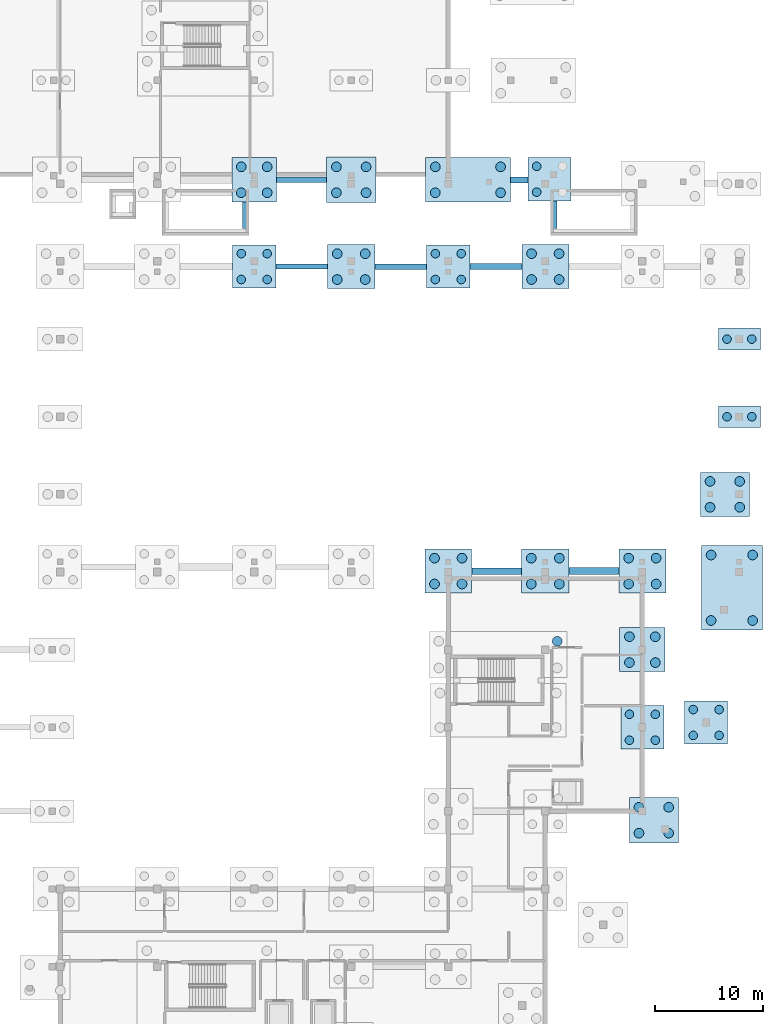
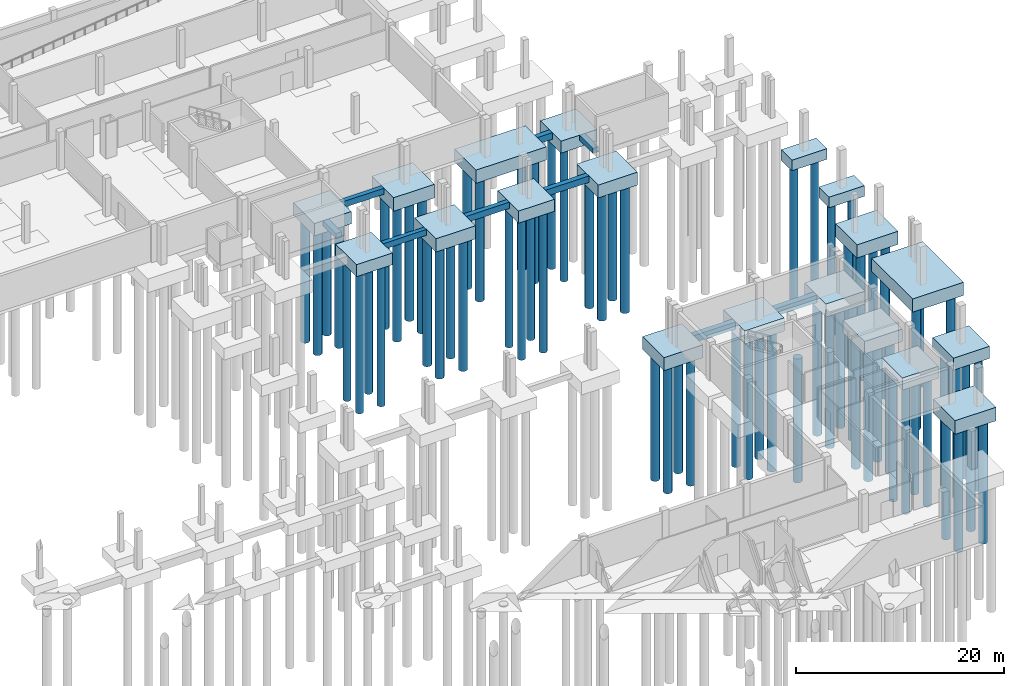
# One storey, part 10 of 36: 71 piles, 28 footings.
"""IFC4 building model written with IfcOpenShell, lengths in metres."""

from ifc_helpers import new_model, si_unit, direction, frame, origin, origin_2d, place, context, subcontext, project, spatial, rectangle, circle, extrude, material, layer, layer_set, material_profile, profile_set, type_object, element, save


model = new_model("IFC4")

# Units and contexts
model_context = context("Model", 3, precision=1e-05, world=origin(), true_north=direction((0.0, 1.0)))
body_context = subcontext(model_context, "Body", "Model", "MODEL_VIEW")
ifc_project = project(units=[si_unit("LENGTHUNIT", "METRE"), si_unit("AREAUNIT", "SQUARE_METRE"), si_unit("VOLUMEUNIT", "CUBIC_METRE"), si_unit("PLANEANGLEUNIT", "RADIAN"), si_unit("MASSUNIT", "GRAM", prefix="KILO")], contexts=[model_context])

# Site, building, storey
site_placement = place(None, origin())
site = spatial("IfcSite", under=ifc_project, at=site_placement, CompositionType="ELEMENT")
building_placement = place(site_placement, origin())
building = spatial("IfcBuilding", under=site, at=building_placement, Name="Chiffa Square Polytechnic", CompositionType="ELEMENT")
storey_placement = place(building_placement, frame((0.0, 0.0, -4.5)))
storey = spatial("IfcBuildingStorey", under=building, at=storey_placement, Name="B1", CompositionType="ELEMENT", Elevation=-4.5)

# Footings
ifc_material = material(Name="Concrete C35/45", Category="concrete")
ifc_layer_1 = layer(ifc_material, 0.68505859375, Name="Concrete C35/45")
ifc_layer_set_1 = layer_set([ifc_layer_1], Name="Concrete C35/45")
footing_type_1 = type_object("IfcFootingType", Name="FTG-BEAM-480X685", PredefinedType="FOOTING_BEAM", material=ifc_layer_set_1)
footing_1_placement = place(storey_placement, frame((134.60009765625, 86.52490234375, -0.685546875), z_axis=(0.0, 0.0, 1.0), x_axis=(1.0, 0.0, 0.0)))
element("IfcFooting", 1, at=footing_1_placement, inside=storey, type_object=footing_type_1, Name="Footing tie beam FB-B1-038", PredefinedType="FOOTING_BEAM", context=body_context, shape_type="SweptSolid", body=[
    extrude(rectangle(XDim=4.7900390625, YDim=0.47998046875, at=origin_2d()), origin(), (0.0, 0.0, 1.0), 0.68505859375),
])
ifc_layer_2 = layer(ifc_material, 0.7099609375, Name="Concrete C35/45")
ifc_layer_set_2 = layer_set([ifc_layer_2], Name="Concrete C35/45")
footing_type_2 = type_object("IfcFootingType", Name="FTG-BEAM-500X710", PredefinedType="FOOTING_BEAM", material=ifc_layer_set_2)
footing_2_placement = place(storey_placement, frame((134.5869140625, 94.574951171875, -0.7099609375), z_axis=(0.0, 0.0, 1.0), x_axis=(1.0, 0.0, 0.0)))
element("IfcFooting", 2, at=footing_2_placement, inside=storey, type_object=footing_type_2, Name="Footing tie beam FB-B1-039", PredefinedType="FOOTING_BEAM", context=body_context, shape_type="SweptSolid", body=[
    extrude(rectangle(XDim=4.6650390625, YDim=0.5, at=origin_2d()), origin(), (0.0, 0.0, 1.0), 0.7099609375),
])
ifc_layer_3 = layer(ifc_material, 0.735107421875, Name="Concrete C35/45")
ifc_layer_set_3 = layer_set([ifc_layer_3], Name="Concrete C35/45")
footing_type_3 = type_object("IfcFootingType", Name="FTG-BEAM-520X735", PredefinedType="FOOTING_BEAM", material=ifc_layer_set_3)
footing_3_placement = place(storey_placement, frame((143.800048828125, 86.52490234375, -0.734375), z_axis=(0.0, 0.0, 1.0), x_axis=(1.0, 0.0, 0.0)))
element("IfcFooting", 3, at=footing_3_placement, inside=storey, type_object=footing_type_3, Name="Footing tie beam FB-B1-040", PredefinedType="FOOTING_BEAM", context=body_context, shape_type="SweptSolid", body=[
    extrude(rectangle(XDim=4.7900390625, YDim=0.52001953125, at=origin_2d()), origin(), (0.0, 0.0, 1.0), 0.735107421875),
])
ifc_layer_4 = layer(ifc_material, 0.760009765625, Name="Concrete C35/45")
ifc_layer_set_4 = layer_set([ifc_layer_4], Name="Concrete C35/45")
footing_type_4 = type_object("IfcFootingType", Name="FTG-BEAM-540X760", PredefinedType="FOOTING_BEAM", material=ifc_layer_set_4)
footing_4_placement = place(storey_placement, frame((152.613037109375, 86.52490234375, -0.759765625), z_axis=(0.0, 0.0, 1.0), x_axis=(1.0, 0.0, 0.0)))
element("IfcFooting", 4, at=footing_4_placement, inside=storey, type_object=footing_type_4, Name="Footing tie beam FB-B1-041", PredefinedType="FOOTING_BEAM", context=body_context, shape_type="SweptSolid", body=[
    extrude(rectangle(XDim=4.81494140625, YDim=0.5400390625, at=origin_2d()), origin(), (0.0, 0.0, 1.0), 0.760009765625),
])
ifc_layer_5 = layer(ifc_material, 0.784912109375, Name="Concrete C35/45")
ifc_layer_set_5 = layer_set([ifc_layer_5], Name="Concrete C35/45")
footing_type_5 = type_object("IfcFootingType", Name="FTG-BEAM-560X785", PredefinedType="FOOTING_BEAM", material=ifc_layer_set_5)
footing_5_placement = place(storey_placement, frame((154.77490234375, 94.574951171875, -0.78564453125), z_axis=(0.0, 0.0, 1.0), x_axis=(1.0, 0.0, 0.0)))
element("IfcFooting", 5, at=footing_5_placement, inside=storey, type_object=footing_type_5, Name="Footing tie beam FB-B1-042", PredefinedType="FOOTING_BEAM", context=body_context, shape_type="SweptSolid", body=[
    extrude(rectangle(XDim=1.639892578125, YDim=0.56005859375, at=origin_2d()), origin(), (0.0, 0.0, 1.0), 0.784912109375),
])
ifc_layer_6 = layer(ifc_material, 0.8349609375, Name="Concrete C35/45")
ifc_layer_set_6 = layer_set([ifc_layer_6], Name="Concrete C35/45")
footing_type_6 = type_object("IfcFootingType", Name="FTG-BEAM-600X835", PredefinedType="FOOTING_BEAM", material=ifc_layer_set_6)
footing_6_placement = place(storey_placement, frame((152.68798828125, 58.284912109375, -0.83544921875), z_axis=(0.0, 0.0, 1.0), x_axis=(1.0, 0.0, 0.0)))
element("IfcFooting", 6, at=footing_6_placement, inside=storey, type_object=footing_type_6, Name="Footing tie beam FB-B1-008", PredefinedType="FOOTING_BEAM", context=body_context, shape_type="SweptSolid", body=[
    extrude(rectangle(XDim=4.614990234375, YDim=0.60009765625, at=origin_2d()), origin(), (0.0, 0.0, 1.0), 0.8349609375),
])
ifc_layer_7 = layer(ifc_material, 0.860107421875, Name="Concrete C35/45")
ifc_layer_set_7 = layer_set([ifc_layer_7], Name="Concrete C35/45")
footing_type_7 = type_object("IfcFootingType", Name="FTG-BEAM-620X860", PredefinedType="FOOTING_BEAM", material=ifc_layer_set_7)
footing_7_placement = place(storey_placement, frame((161.712890625, 58.284912109375, -0.85986328125), z_axis=(0.0, 0.0, 1.0), x_axis=(1.0, 0.0, 0.0)))
element("IfcFooting", 7, at=footing_7_placement, inside=storey, type_object=footing_type_7, Name="Footing tie beam FB-B1-009", PredefinedType="FOOTING_BEAM", context=body_context, shape_type="SweptSolid", body=[
    extrude(rectangle(XDim=4.614990234375, YDim=0.6201171875, at=origin_2d()), origin(), (0.0, 0.0, 1.0), 0.860107421875),
])
ifc_layer_8 = layer(ifc_material, 0.60009765625, Name="Concrete C35/45")
ifc_layer_set_8 = layer_set([ifc_layer_8], Name="Concrete C35/45")
footing_type_8 = type_object("IfcFootingType", Name="FTG-PAD-620X2470X600", PredefinedType="PAD_FOOTING", material=ifc_layer_set_8)
footing_8_placement = place(storey_placement, frame((129.419921875, 91.27001953125, -0.60009765625), z_axis=(0.0, 0.0, 1.0), x_axis=(1.0, 0.0, 0.0)))
element("IfcFooting", 8, at=footing_8_placement, inside=storey, type_object=footing_type_8, Name="Core pad footing PFG-CORE-CORE-V2A-E1", PredefinedType="PAD_FOOTING", context=body_context, shape_type="SweptSolid", body=[
    extrude(rectangle(XDim=0.6201171875, YDim=2.469970703125, at=origin_2d()), origin(), (0.0, 0.0, 1.0), 0.60009765625),
])
ifc_layer_9 = layer(ifc_material, 0.60009765625, Name="Concrete C35/45")
ifc_layer_set_9 = layer_set([ifc_layer_9], Name="Concrete C35/45")
footing_type_9 = type_object("IfcFootingType", Name="FTG-PAD-620X2570X600", PredefinedType="PAD_FOOTING", material=ifc_layer_set_9)
footing_9_placement = place(storey_placement, frame((157.97998046875, 91.320068359375, -0.60009765625), z_axis=(0.0, 0.0, 1.0), x_axis=(1.0, 0.0, 0.0)))
element("IfcFooting", 9, at=footing_9_placement, inside=storey, type_object=footing_type_9, Name="Core pad footing PFG-CORE-CORE-V2B-W1", PredefinedType="PAD_FOOTING", context=body_context, shape_type="SweptSolid", body=[
    extrude(rectangle(XDim=0.6201171875, YDim=2.570068359375, at=origin_2d()), origin(), (0.0, 0.0, 1.0), 0.60009765625),
])
ifc_layer_10 = layer(ifc_material, 1.25, Name="Concrete C35/45")
ifc_layer_set_10 = layer_set([ifc_layer_10], Name="Concrete C35/45")
footing_type_10 = type_object("IfcFootingType", Name="FTG-PC-3900X2000X1250", PredefinedType="PILE_CAP", material=ifc_layer_set_10)
footing_10_placement = place(storey_placement, frame((175.199951171875, 72.60009765625, -1.25), z_axis=(0.0, 0.0, 1.0), x_axis=(1.0, 0.0, 0.0)))
element("IfcFooting", 10, at=footing_10_placement, inside=storey, type_object=footing_type_10, Name="Pile cap PC-B1-047", PredefinedType="PILE_CAP", context=body_context, shape_type="SweptSolid", body=[
    extrude(rectangle(XDim=3.89990234375, YDim=2.0, at=origin_2d()), origin(), (0.0, 0.0, 1.0), 1.25),
])
ifc_layer_11 = layer(ifc_material, 1.25, Name="Concrete C35/45")
ifc_layer_set_11 = layer_set([ifc_layer_11], Name="Concrete C35/45")
footing_type_11 = type_object("IfcFootingType", Name="FTG-PC-3900X2050X1250", PredefinedType="PILE_CAP", material=ifc_layer_set_11)
footing_11_placement = place(storey_placement, frame((175.199951171875, 79.800048828125, -1.25), z_axis=(0.0, 0.0, 1.0), x_axis=(1.0, 0.0, 0.0)))
element("IfcFooting", 11, at=footing_11_placement, inside=storey, type_object=footing_type_11, Name="Pile cap PC-B1-048", PredefinedType="PILE_CAP", context=body_context, shape_type="SweptSolid", body=[
    extrude(rectangle(XDim=3.89990234375, YDim=2.050048828125, at=origin_2d()), origin(), (0.0, 0.0, 1.0), 1.25),
])
ifc_layer_12 = layer(ifc_material, 1.39990234375, Name="Concrete C35/45")
ifc_layer_set_12 = layer_set([ifc_layer_12], Name="Concrete C35/45")
footing_type_12 = type_object("IfcFootingType", Name="FTG-PC-4000X4000X1400", PredefinedType="PILE_CAP", material=ifc_layer_set_12)
for number, where, z_axis, x_axis, name in (
    (12, (130.199951171875, 86.52490234375, -1.39990234375), (0.0, 0.0, 1.0), (1.0, 0.0, 0.0), "Pile cap PC-B1-034"),
    (13, (157.60009765625, 94.625, -1.39990234375), (0.0, 0.0, 1.0), (1.0, 0.0, 0.0), "Pile cap PC-B1-042"),
):
    element("IfcFooting", number, at=place(storey_placement, frame(where, z_axis=z_axis, x_axis=x_axis)), inside=storey, type_object=footing_type_12, Name=name, PredefinedType="PILE_CAP", context=body_context, shape_type="SweptSolid", body=[
        extrude(rectangle(XDim=4.0, YDim=4.0, at=origin_2d()), origin(), (0.0, 0.0, 1.0), 1.39990234375),
    ])
ifc_layer_13 = layer(ifc_material, 1.419921875, Name="Concrete C35/45")
ifc_layer_set_13 = layer_set([ifc_layer_13], Name="Concrete C35/45")
footing_type_13 = type_object("IfcFootingType", Name="FTG-PC-4000X4000X1420", PredefinedType="PILE_CAP", material=ifc_layer_set_13)
for number, where, z_axis, x_axis, name in (
    (14, (166.199951171875, 43.800048828125, -1.419921875), (0.0, 0.0, 1.0), (1.0, 0.0, 0.0), "Pile cap PC-B1-021"),
    (15, (148.199951171875, 86.52490234375, -1.419921875), (0.0, 0.0, 1.0), (1.0, 0.0, 0.0), "Pile cap PC-B1-039"),
    (16, (172.115966796875, 44.242919921875, -1.419921875), (0.0, 0.0, 1.0), (1.0, 0.0, 0.0), "Pile cap PC-B1-237"),
):
    element("IfcFooting", number, at=place(storey_placement, frame(where, z_axis=z_axis, x_axis=x_axis)), inside=storey, type_object=footing_type_13, Name=name, PredefinedType="PILE_CAP", context=body_context, shape_type="SweptSolid", body=[
        extrude(rectangle(XDim=4.0, YDim=4.0, at=origin_2d()), origin(), (0.0, 0.0, 1.0), 1.419921875),
    ])
ifc_layer_14 = layer(ifc_material, 1.449951171875, Name="Concrete C35/45")
ifc_layer_set_14 = layer_set([ifc_layer_14], Name="Concrete C35/45")
footing_type_14 = type_object("IfcFootingType", Name="FTG-PC-4100X4100X1450", PredefinedType="PILE_CAP", material=ifc_layer_set_14)
footing_12_placement = place(storey_placement, frame((130.199951171875, 94.574951171875, -1.4501953125), z_axis=(0.0, 0.0, 1.0), x_axis=(1.0, 0.0, 0.0)))
element("IfcFooting", 17, at=footing_12_placement, inside=storey, type_object=footing_type_14, Name="Pile cap PC-B1-035", PredefinedType="PILE_CAP", context=body_context, shape_type="SweptSolid", body=[
    extrude(rectangle(XDim=4.10009765625, YDim=4.10009765625, at=origin_2d()), origin(), (0.0, 0.0, 1.0), 1.449951171875),
])
ifc_layer_15 = layer(ifc_material, 1.47998046875, Name="Concrete C35/45")
ifc_layer_set_15 = layer_set([ifc_layer_15], Name="Concrete C35/45")
footing_type_15 = type_object("IfcFootingType", Name="FTG-PC-4200X4100X1480", PredefinedType="PILE_CAP", material=ifc_layer_set_15)
footing_13_placement = place(storey_placement, frame((166.199951171875, 51.0, -1.47998046875), z_axis=(0.0, 0.0, 1.0), x_axis=(1.0, 0.0, 0.0)))
element("IfcFooting", 18, at=footing_13_placement, inside=storey, type_object=footing_type_15, Name="Pile cap PC-B1-022", PredefinedType="PILE_CAP", context=body_context, shape_type="SweptSolid", body=[
    extrude(rectangle(XDim=4.199951171875, YDim=4.10009765625, at=origin_2d()), origin(), (0.0, 0.0, 1.0), 1.47998046875),
])
ifc_layer_16 = layer(ifc_material, 1.52001953125, Name="Concrete C35/45")
ifc_layer_set_16 = layer_set([ifc_layer_16], Name="Concrete C35/45")
footing_type_16 = type_object("IfcFootingType", Name="FTG-PC-4350X4100X1520", PredefinedType="PILE_CAP", material=ifc_layer_set_16)
for number, where, z_axis, x_axis, name in (
    (19, (148.199951171875, 58.284912109375, -1.52001953125), (0.0, 0.0, 1.0), (1.0, 0.0, 0.0), "Pile cap PC-B1-016"),
    (20, (166.199951171875, 58.284912109375, -1.52001953125), (0.0, 0.0, 1.0), (1.0, 0.0, 0.0), "Pile cap PC-B1-023"),
    (21, (157.199951171875, 86.52490234375, -1.52001953125), (0.0, 0.0, 1.0), (1.0, 0.0, 0.0), "Pile cap PC-B1-041"),
):
    element("IfcFooting", number, at=place(storey_placement, frame(where, z_axis=z_axis, x_axis=x_axis)), inside=storey, type_object=footing_type_16, Name=name, PredefinedType="PILE_CAP", context=body_context, shape_type="SweptSolid", body=[
        extrude(rectangle(XDim=4.35009765625, YDim=4.10009765625, at=origin_2d()), origin(), (0.0, 0.0, 1.0), 1.52001953125),
    ])
ifc_layer_17 = layer(ifc_material, 1.550048828125, Name="Concrete C35/45")
ifc_layer_set_17 = layer_set([ifc_layer_17], Name="Concrete C35/45")
footing_type_17 = type_object("IfcFootingType", Name="FTG-PC-4400X4100X1550", PredefinedType="PILE_CAP", material=ifc_layer_set_17)
for number, where, z_axis, x_axis, name in (
    (22, (157.199951171875, 58.284912109375, -1.5498046875), (0.0, 0.0, 1.0), (1.0, 0.0, 0.0), "Pile cap PC-B1-019"),
    (23, (139.199951171875, 86.52490234375, -1.5498046875), (0.0, 0.0, 1.0), (1.0, 0.0, 0.0), "Pile cap PC-B1-037"),
):
    element("IfcFooting", number, at=place(storey_placement, frame(where, z_axis=z_axis, x_axis=x_axis)), inside=storey, type_object=footing_type_17, Name=name, PredefinedType="PILE_CAP", context=body_context, shape_type="SweptSolid", body=[
        extrude(rectangle(XDim=4.39990234375, YDim=4.10009765625, at=origin_2d()), origin(), (0.0, 0.0, 1.0), 1.550048828125),
    ])
ifc_layer_18 = layer(ifc_material, 1.550048828125, Name="Concrete C35/45")
ifc_layer_set_18 = layer_set([ifc_layer_18], Name="Concrete C35/45")
footing_type_18 = type_object("IfcFootingType", Name="FTG-PC-4550X4100X1550", PredefinedType="PILE_CAP", material=ifc_layer_set_18)
footing_14_placement = place(storey_placement, frame((173.85009765625, 65.39990234375, -1.5498046875), z_axis=(0.0, 0.0, 1.0), x_axis=(1.0, 0.0, 0.0)))
element("IfcFooting", 24, at=footing_14_placement, inside=storey, type_object=footing_type_18, Name="Pile cap PC-B1-046", PredefinedType="PILE_CAP", context=body_context, shape_type="SweptSolid", body=[
    extrude(rectangle(XDim=4.550048828125, YDim=4.10009765625, at=origin_2d()), origin(), (0.0, 0.0, 1.0), 1.550048828125),
])
ifc_layer_19 = layer(ifc_material, 1.60009765625, Name="Concrete C35/45")
ifc_layer_set_19 = layer_set([ifc_layer_19], Name="Concrete C35/45")
footing_type_19 = type_object("IfcFootingType", Name="FTG-PC-4550X4200X1600", PredefinedType="PILE_CAP", material=ifc_layer_set_19)
for number, where, z_axis, x_axis, name in (
    (25, (167.260986328125, 35.179931640625, -1.60009765625), (0.0, 0.0, 1.0), (1.0, 0.0, 0.0), "Pile cap PC-B1-020"),
    (26, (139.199951171875, 94.574951171875, -1.60009765625), (0.0, 0.0, 1.0), (1.0, 0.0, 0.0), "Pile cap PC-B1-038"),
):
    element("IfcFooting", number, at=place(storey_placement, frame(where, z_axis=z_axis, x_axis=x_axis)), inside=storey, type_object=footing_type_19, Name=name, PredefinedType="PILE_CAP", context=body_context, shape_type="SweptSolid", body=[
        extrude(rectangle(XDim=4.550048828125, YDim=4.199951171875, at=origin_2d()), origin(), (0.0, 0.0, 1.0), 1.60009765625),
    ])
ifc_layer_20 = layer(ifc_material, 1.550048828125, Name="Concrete C35/45")
ifc_layer_set_20 = layer_set([ifc_layer_20], Name="Concrete C35/45")
footing_type_20 = type_object("IfcFootingType", Name="FTG-PC-5653X7875X1550", PredefinedType="PILE_CAP", material=ifc_layer_set_20)
footing_15_placement = place(storey_placement, frame((174.498046875, 56.737060546875, -1.5498046875), z_axis=(0.0, 0.0, 1.0), x_axis=(1.0, 0.0, 0.0)))
element("IfcFooting", 27, at=footing_15_placement, inside=storey, type_object=footing_type_20, Name="Pile cap PC-B1-045", PredefinedType="PILE_CAP", context=body_context, shape_type="SweptSolid", body=[
    extrude(rectangle(XDim=5.653076171875, YDim=7.875, at=origin_2d()), origin(), (0.0, 0.0, 1.0), 1.550048828125),
])
ifc_layer_21 = layer(ifc_material, 1.550048828125, Name="Concrete C35/45")
ifc_layer_set_21 = layer_set([ifc_layer_21], Name="Concrete C35/45")
footing_type_21 = type_object("IfcFootingType", Name="FTG-PC-7850X4100X1550", PredefinedType="PILE_CAP", material=ifc_layer_set_21)
footing_16_placement = place(storey_placement, frame((150.02490234375, 94.574951171875, -1.5498046875), z_axis=(0.0, 0.0, 1.0), x_axis=(1.0, 0.0, 0.0)))
element("IfcFooting", 28, at=footing_16_placement, inside=storey, type_object=footing_type_21, Name="Pile cap PC-B1-040", PredefinedType="PILE_CAP", context=body_context, shape_type="SweptSolid", body=[
    extrude(rectangle(XDim=7.85009765625, YDim=4.10009765625, at=origin_2d()), origin(), (0.0, 0.0, 1.0), 1.550048828125),
])

# Piles
ifc_material_profile_1 = material_profile(ifc_material, circle(Radius=0.39990234375, at=origin_2d()), Name="PILE D800")
ifc_profile_set_1 = profile_set([ifc_material_profile_1], Name="Concrete C35/45")
pile_type_1 = type_object("IfcPileType", Name="PILE-D800", PredefinedType="BORED", material=ifc_profile_set_1)
for number, where, z_axis, x_axis, name in (
    (29, (165.0, 42.60009765625, -1.320068359375), (0.0, 0.0, -1.0), (1.0, 0.0, 0.0), "Bored pile PL-B1-1650-0426-1"),
    (30, (167.39990234375, 42.60009765625, -1.320068359375), (0.0, 0.0, -1.0), (1.0, 0.0, 0.0), "Bored pile PL-B1-1674-0426-2"),
    (31, (165.0, 45.0, -1.320068359375), (0.0, 0.0, -1.0), (1.0, 0.0, 0.0), "Bored pile PL-B1-1650-0450-3"),
    (32, (167.39990234375, 45.0, -1.320068359375), (0.0, 0.0, -1.0), (1.0, 0.0, 0.0), "Bored pile PL-B1-1674-0450-4"),
):
    element("IfcPile", number, at=place(storey_placement, frame(where, z_axis=z_axis, x_axis=x_axis)), inside=storey, type_object=pile_type_1, Name=name, PredefinedType="BORED", context=body_context, shape_type="SweptSolid", body=[
        extrude(circle(Radius=0.39990234375, at=origin_2d()), origin(), (0.0, 0.0, 1.0), 15.179931640625),
    ])
for number, where, z_axis, x_axis, name in (
    (33, (129.0, 85.324951171875, -1.300048828125), (0.0, 0.0, -1.0), (1.0, 0.0, 0.0), "Bored pile PL-B1-1290-0853-1"),
    (34, (131.39990234375, 85.324951171875, -1.300048828125), (0.0, 0.0, -1.0), (1.0, 0.0, 0.0), "Bored pile PL-B1-1314-0853-2"),
    (35, (129.0, 87.72509765625, -1.300048828125), (0.0, 0.0, -1.0), (1.0, 0.0, 0.0), "Bored pile PL-B1-1290-0877-3"),
    (36, (131.39990234375, 87.72509765625, -1.300048828125), (0.0, 0.0, -1.0), (1.0, 0.0, 0.0), "Bored pile PL-B1-1314-0877-4"),
):
    element("IfcPile", number, at=place(storey_placement, frame(where, z_axis=z_axis, x_axis=x_axis)), inside=storey, type_object=pile_type_1, Name=name, PredefinedType="BORED", context=body_context, shape_type="SweptSolid", body=[
        extrude(circle(Radius=0.39990234375, at=origin_2d()), origin(), (0.0, 0.0, 1.0), 16.699951171875),
    ])
for number, where, z_axis, x_axis, name in (
    (37, (147.0, 85.324951171875, -1.320068359375), (0.0, 0.0, -1.0), (1.0, 0.0, 0.0), "Bored pile PL-B1-1470-0853-1"),
    (38, (149.39990234375, 85.324951171875, -1.320068359375), (0.0, 0.0, -1.0), (1.0, 0.0, 0.0), "Bored pile PL-B1-1494-0853-2"),
    (39, (147.0, 87.72509765625, -1.320068359375), (0.0, 0.0, -1.0), (1.0, 0.0, 0.0), "Bored pile PL-B1-1470-0877-3"),
    (40, (149.39990234375, 87.72509765625, -1.320068359375), (0.0, 0.0, -1.0), (1.0, 0.0, 0.0), "Bored pile PL-B1-1494-0877-4"),
):
    element("IfcPile", number, at=place(storey_placement, frame(where, z_axis=z_axis, x_axis=x_axis)), inside=storey, type_object=pile_type_1, Name=name, PredefinedType="BORED", context=body_context, shape_type="SweptSolid", body=[
        extrude(circle(Radius=0.39990234375, at=origin_2d()), origin(), (0.0, 0.0, 1.0), 16.679931640625),
    ])
for number, where, z_axis, x_axis, name in (
    (41, (156.39990234375, 93.425048828125, -1.300048828125), (0.0, 0.0, -1.0), (1.0, 0.0, 0.0), "Bored pile PL-B1-1564-0934-1"),
    (42, (156.39990234375, 95.824951171875, -1.300048828125), (0.0, 0.0, -1.0), (1.0, 0.0, 0.0), "Bored pile PL-B1-1564-0958-3"),
):
    element("IfcPile", number, at=place(storey_placement, frame(where, z_axis=z_axis, x_axis=x_axis)), inside=storey, type_object=pile_type_1, Name=name, PredefinedType="BORED", context=body_context, shape_type="SweptSolid", body=[
        extrude(circle(Radius=0.39990234375, at=origin_2d()), origin(), (0.0, 0.0, 1.0), 15.699951171875),
    ])
for number, where, z_axis, x_axis, name in (
    (43, (174.050048828125, 72.60009765625, -1.14990234375), (0.0, 0.0, -1.0), (1.0, 0.0, 0.0), "Bored pile PL-B1-1740-0726-1"),
    (44, (176.35009765625, 72.60009765625, -1.14990234375), (0.0, 0.0, -1.0), (1.0, 0.0, 0.0), "Bored pile PL-B1-1764-0726-2"),
):
    element("IfcPile", number, at=place(storey_placement, frame(where, z_axis=z_axis, x_axis=x_axis)), inside=storey, type_object=pile_type_1, Name=name, PredefinedType="BORED", context=body_context, shape_type="SweptSolid", body=[
        extrude(circle(Radius=0.39990234375, at=origin_2d()), origin(), (0.0, 0.0, 1.0), 15.85009765625),
    ])
for number, where, z_axis, x_axis, name in (
    (45, (174.050048828125, 79.800048828125, -1.14990234375), (0.0, 0.0, -1.0), (1.0, 0.0, 0.0), "Bored pile PL-B1-1740-0798-1"),
    (46, (176.35009765625, 79.800048828125, -1.14990234375), (0.0, 0.0, -1.0), (1.0, 0.0, 0.0), "Bored pile PL-B1-1764-0798-2"),
):
    element("IfcPile", number, at=place(storey_placement, frame(where, z_axis=z_axis, x_axis=x_axis)), inside=storey, type_object=pile_type_1, Name=name, PredefinedType="BORED", context=body_context, shape_type="SweptSolid", body=[
        extrude(circle(Radius=0.39990234375, at=origin_2d()), origin(), (0.0, 0.0, 1.0), 16.35009765625),
    ])
for number, where, z_axis, x_axis, name in (
    (47, (170.916015625, 43.04296875, -1.320068359375), (0.0, 0.0, -1.0), (1.0, 0.0, 0.0), "Bored pile PL-B1-1709-0430-1"),
    (48, (173.31591796875, 43.04296875, -1.320068359375), (0.0, 0.0, -1.0), (1.0, 0.0, 0.0), "Bored pile PL-B1-1733-0430-2"),
    (49, (170.916015625, 45.443115234375, -1.320068359375), (0.0, 0.0, -1.0), (1.0, 0.0, 0.0), "Bored pile PL-B1-1709-0454-3"),
    (50, (173.31591796875, 45.443115234375, -1.320068359375), (0.0, 0.0, -1.0), (1.0, 0.0, 0.0), "Bored pile PL-B1-1733-0454-4"),
):
    element("IfcPile", number, at=place(storey_placement, frame(where, z_axis=z_axis, x_axis=x_axis)), inside=storey, type_object=pile_type_1, Name=name, PredefinedType="BORED", context=body_context, shape_type="SweptSolid", body=[
        extrude(circle(Radius=0.39990234375, at=origin_2d()), origin(), (0.0, 0.0, 1.0), 15.679931640625),
    ])
ifc_material_profile_2 = material_profile(ifc_material, circle(Radius=0.449951171875, at=origin_2d()), Name="PILE D900")
ifc_profile_set_2 = profile_set([ifc_material_profile_2], Name="Concrete C35/45")
pile_type_2 = type_object("IfcPileType", Name="PILE-D900", PredefinedType="BORED", material=ifc_profile_set_2)
pile_placement = place(storey_placement, frame((158.300048828125, 51.77490234375, -1.449951171875), z_axis=(0.0, 0.0, -1.0), x_axis=(1.0, 0.0, 0.0)))
element("IfcPile", 51, at=pile_placement, inside=storey, type_object=pile_type_2, Name="Bored pile PL-B1-1583-0518-4", PredefinedType="BORED", context=body_context, shape_type="SweptSolid", body=[
    extrude(circle(Radius=0.449951171875, at=origin_2d()), origin(), (0.0, 0.0, 1.0), 14.550048828125),
])
for number, where, z_axis, x_axis, name in (
    (52, (146.925048828125, 57.0849609375, -1.419921875), (0.0, 0.0, -1.0), (1.0, 0.0, 0.0), "Bored pile PL-B1-1469-0571-1"),
    (53, (149.47509765625, 57.0849609375, -1.419921875), (0.0, 0.0, -1.0), (1.0, 0.0, 0.0), "Bored pile PL-B1-1495-0571-2"),
    (54, (146.925048828125, 59.485107421875, -1.419921875), (0.0, 0.0, -1.0), (1.0, 0.0, 0.0), "Bored pile PL-B1-1469-0595-3"),
    (55, (149.47509765625, 59.485107421875, -1.419921875), (0.0, 0.0, -1.0), (1.0, 0.0, 0.0), "Bored pile PL-B1-1495-0595-4"),
):
    element("IfcPile", number, at=place(storey_placement, frame(where, z_axis=z_axis, x_axis=x_axis)), inside=storey, type_object=pile_type_2, Name=name, PredefinedType="BORED", context=body_context, shape_type="SweptSolid", body=[
        extrude(circle(Radius=0.449951171875, at=origin_2d()), origin(), (0.0, 0.0, 1.0), 15.080078125),
    ])
for number, where, z_axis, x_axis, name in (
    (56, (155.89990234375, 57.0849609375, -1.449951171875), (0.0, 0.0, -1.0), (1.0, 0.0, 0.0), "Bored pile PL-B1-1559-0571-1"),
    (57, (158.5, 57.0849609375, -1.449951171875), (0.0, 0.0, -1.0), (1.0, 0.0, 0.0), "Bored pile PL-B1-1585-0571-2"),
    (58, (155.89990234375, 59.485107421875, -1.449951171875), (0.0, 0.0, -1.0), (1.0, 0.0, 0.0), "Bored pile PL-B1-1559-0595-3"),
    (59, (158.5, 59.485107421875, -1.449951171875), (0.0, 0.0, -1.0), (1.0, 0.0, 0.0), "Bored pile PL-B1-1585-0595-4"),
):
    element("IfcPile", number, at=place(storey_placement, frame(where, z_axis=z_axis, x_axis=x_axis)), inside=storey, type_object=pile_type_2, Name=name, PredefinedType="BORED", context=body_context, shape_type="SweptSolid", body=[
        extrude(circle(Radius=0.449951171875, at=origin_2d()), origin(), (0.0, 0.0, 1.0), 16.550048828125),
    ])
for number, where, z_axis, x_axis, name in (
    (60, (165.885986328125, 33.97998046875, -1.5), (0.0, 0.0, -1.0), (1.0, 0.0, 0.0), "Bored pile PL-B1-1659-0340-1"),
    (61, (168.635986328125, 33.97998046875, -1.5), (0.0, 0.0, -1.0), (1.0, 0.0, 0.0), "Bored pile PL-B1-1686-0340-2"),
    (62, (165.885986328125, 36.3798828125, -1.5), (0.0, 0.0, -1.0), (1.0, 0.0, 0.0), "Bored pile PL-B1-1659-0364-3"),
    (63, (168.635986328125, 36.3798828125, -1.5), (0.0, 0.0, -1.0), (1.0, 0.0, 0.0), "Bored pile PL-B1-1686-0364-4"),
):
    element("IfcPile", number, at=place(storey_placement, frame(where, z_axis=z_axis, x_axis=x_axis)), inside=storey, type_object=pile_type_2, Name=name, PredefinedType="BORED", context=body_context, shape_type="SweptSolid", body=[
        extrude(circle(Radius=0.449951171875, at=origin_2d()), origin(), (0.0, 0.0, 1.0), 14.5),
    ])
for number, where, z_axis, x_axis, name in (
    (64, (165.0, 49.800048828125, -1.3798828125), (0.0, 0.0, -1.0), (1.0, 0.0, 0.0), "Bored pile PL-B1-1650-0498-1"),
    (65, (167.39990234375, 49.800048828125, -1.3798828125), (0.0, 0.0, -1.0), (1.0, 0.0, 0.0), "Bored pile PL-B1-1674-0498-2"),
    (66, (165.0, 52.199951171875, -1.3798828125), (0.0, 0.0, -1.0), (1.0, 0.0, 0.0), "Bored pile PL-B1-1650-0522-3"),
    (67, (167.39990234375, 52.199951171875, -1.3798828125), (0.0, 0.0, -1.0), (1.0, 0.0, 0.0), "Bored pile PL-B1-1674-0522-4"),
):
    element("IfcPile", number, at=place(storey_placement, frame(where, z_axis=z_axis, x_axis=x_axis)), inside=storey, type_object=pile_type_2, Name=name, PredefinedType="BORED", context=body_context, shape_type="SweptSolid", body=[
        extrude(circle(Radius=0.449951171875, at=origin_2d()), origin(), (0.0, 0.0, 1.0), 15.6201171875),
    ])
for number, where, z_axis, x_axis, name in (
    (68, (164.925048828125, 57.0849609375, -1.419921875), (0.0, 0.0, -1.0), (1.0, 0.0, 0.0), "Bored pile PL-B1-1649-0571-1"),
    (69, (167.47509765625, 57.0849609375, -1.419921875), (0.0, 0.0, -1.0), (1.0, 0.0, 0.0), "Bored pile PL-B1-1675-0571-2"),
    (70, (164.925048828125, 59.485107421875, -1.419921875), (0.0, 0.0, -1.0), (1.0, 0.0, 0.0), "Bored pile PL-B1-1649-0595-3"),
    (71, (167.47509765625, 59.485107421875, -1.419921875), (0.0, 0.0, -1.0), (1.0, 0.0, 0.0), "Bored pile PL-B1-1675-0595-4"),
):
    element("IfcPile", number, at=place(storey_placement, frame(where, z_axis=z_axis, x_axis=x_axis)), inside=storey, type_object=pile_type_2, Name=name, PredefinedType="BORED", context=body_context, shape_type="SweptSolid", body=[
        extrude(circle(Radius=0.449951171875, at=origin_2d()), origin(), (0.0, 0.0, 1.0), 16.080078125),
    ])
for number, where, z_axis, x_axis, name in (
    (72, (129.0, 93.375, -1.35009765625), (0.0, 0.0, -1.0), (1.0, 0.0, 0.0), "Bored pile PL-B1-1290-0934-1"),
    (73, (131.39990234375, 93.375, -1.35009765625), (0.0, 0.0, -1.0), (1.0, 0.0, 0.0), "Bored pile PL-B1-1314-0934-2"),
    (74, (129.0, 95.77490234375, -1.35009765625), (0.0, 0.0, -1.0), (1.0, 0.0, 0.0), "Bored pile PL-B1-1290-0958-3"),
    (75, (131.39990234375, 95.77490234375, -1.35009765625), (0.0, 0.0, -1.0), (1.0, 0.0, 0.0), "Bored pile PL-B1-1314-0958-4"),
):
    element("IfcPile", number, at=place(storey_placement, frame(where, z_axis=z_axis, x_axis=x_axis)), inside=storey, type_object=pile_type_2, Name=name, PredefinedType="BORED", context=body_context, shape_type="SweptSolid", body=[
        extrude(circle(Radius=0.449951171875, at=origin_2d()), origin(), (0.0, 0.0, 1.0), 14.64990234375),
    ])
for number, where, z_axis, x_axis, name in (
    (76, (137.89990234375, 85.324951171875, -1.449951171875), (0.0, 0.0, -1.0), (1.0, 0.0, 0.0), "Bored pile PL-B1-1379-0853-1"),
    (77, (140.5, 85.324951171875, -1.449951171875), (0.0, 0.0, -1.0), (1.0, 0.0, 0.0), "Bored pile PL-B1-1405-0853-2"),
    (78, (137.89990234375, 87.72509765625, -1.449951171875), (0.0, 0.0, -1.0), (1.0, 0.0, 0.0), "Bored pile PL-B1-1379-0877-3"),
    (79, (140.5, 87.72509765625, -1.449951171875), (0.0, 0.0, -1.0), (1.0, 0.0, 0.0), "Bored pile PL-B1-1405-0877-4"),
):
    element("IfcPile", number, at=place(storey_placement, frame(where, z_axis=z_axis, x_axis=x_axis)), inside=storey, type_object=pile_type_2, Name=name, PredefinedType="BORED", context=body_context, shape_type="SweptSolid", body=[
        extrude(circle(Radius=0.449951171875, at=origin_2d()), origin(), (0.0, 0.0, 1.0), 15.550048828125),
    ])
for number, where, z_axis, x_axis, name in (
    (80, (137.824951171875, 93.375, -1.5), (0.0, 0.0, -1.0), (1.0, 0.0, 0.0), "Bored pile PL-B1-1378-0934-1"),
    (81, (140.574951171875, 93.375, -1.5), (0.0, 0.0, -1.0), (1.0, 0.0, 0.0), "Bored pile PL-B1-1406-0934-2"),
    (82, (137.824951171875, 95.77490234375, -1.5), (0.0, 0.0, -1.0), (1.0, 0.0, 0.0), "Bored pile PL-B1-1378-0958-3"),
    (83, (140.574951171875, 95.77490234375, -1.5), (0.0, 0.0, -1.0), (1.0, 0.0, 0.0), "Bored pile PL-B1-1406-0958-4"),
):
    element("IfcPile", number, at=place(storey_placement, frame(where, z_axis=z_axis, x_axis=x_axis)), inside=storey, type_object=pile_type_2, Name=name, PredefinedType="BORED", context=body_context, shape_type="SweptSolid", body=[
        extrude(circle(Radius=0.449951171875, at=origin_2d()), origin(), (0.0, 0.0, 1.0), 16.0),
    ])
for number, where, z_axis, x_axis, name in (
    (84, (147.0, 93.375, -1.449951171875), (0.0, 0.0, -1.0), (1.0, 0.0, 0.0), "Bored pile PL-B1-1470-0934-1"),
    (85, (153.050048828125, 93.375, -1.449951171875), (0.0, 0.0, -1.0), (1.0, 0.0, 0.0), "Bored pile PL-B1-1530-0934-2"),
    (86, (147.0, 95.77490234375, -1.449951171875), (0.0, 0.0, -1.0), (1.0, 0.0, 0.0), "Bored pile PL-B1-1470-0958-3"),
    (87, (153.050048828125, 95.77490234375, -1.449951171875), (0.0, 0.0, -1.0), (1.0, 0.0, 0.0), "Bored pile PL-B1-1530-0958-4"),
):
    element("IfcPile", number, at=place(storey_placement, frame(where, z_axis=z_axis, x_axis=x_axis)), inside=storey, type_object=pile_type_2, Name=name, PredefinedType="BORED", context=body_context, shape_type="SweptSolid", body=[
        extrude(circle(Radius=0.449951171875, at=origin_2d()), origin(), (0.0, 0.0, 1.0), 14.550048828125),
    ])
for number, where, z_axis, x_axis, name in (
    (88, (155.925048828125, 85.324951171875, -1.419921875), (0.0, 0.0, -1.0), (1.0, 0.0, 0.0), "Bored pile PL-B1-1559-0853-1"),
    (89, (158.47509765625, 85.324951171875, -1.419921875), (0.0, 0.0, -1.0), (1.0, 0.0, 0.0), "Bored pile PL-B1-1585-0853-2"),
    (90, (155.925048828125, 87.72509765625, -1.419921875), (0.0, 0.0, -1.0), (1.0, 0.0, 0.0), "Bored pile PL-B1-1559-0877-3"),
    (91, (158.47509765625, 87.72509765625, -1.419921875), (0.0, 0.0, -1.0), (1.0, 0.0, 0.0), "Bored pile PL-B1-1585-0877-4"),
):
    element("IfcPile", number, at=place(storey_placement, frame(where, z_axis=z_axis, x_axis=x_axis)), inside=storey, type_object=pile_type_2, Name=name, PredefinedType="BORED", context=body_context, shape_type="SweptSolid", body=[
        extrude(circle(Radius=0.449951171875, at=origin_2d()), origin(), (0.0, 0.0, 1.0), 15.080078125),
    ])
for number, where, z_axis, x_axis, name in (
    (92, (172.572021484375, 53.699951171875, -1.449951171875), (0.0, 0.0, -1.0), (1.0, 0.0, 0.0), "Bored pile PL-B1-1726-0537-1"),
    (93, (176.424072265625, 53.699951171875, -1.449951171875), (0.0, 0.0, -1.0), (1.0, 0.0, 0.0), "Bored pile PL-B1-1764-0537-2"),
    (94, (172.572021484375, 59.77392578125, -1.449951171875), (0.0, 0.0, -1.0), (1.0, 0.0, 0.0), "Bored pile PL-B1-1726-0598-3"),
    (95, (176.424072265625, 59.77392578125, -1.449951171875), (0.0, 0.0, -1.0), (1.0, 0.0, 0.0), "Bored pile PL-B1-1764-0598-4"),
):
    element("IfcPile", number, at=place(storey_placement, frame(where, z_axis=z_axis, x_axis=x_axis)), inside=storey, type_object=pile_type_2, Name=name, PredefinedType="BORED", context=body_context, shape_type="SweptSolid", body=[
        extrude(circle(Radius=0.449951171875, at=origin_2d()), origin(), (0.0, 0.0, 1.0), 14.550048828125),
    ])
for number, where, z_axis, x_axis, name in (
    (96, (172.47509765625, 64.199951171875, -1.449951171875), (0.0, 0.0, -1.0), (1.0, 0.0, 0.0), "Bored pile PL-B1-1725-0642-1"),
    (97, (175.22509765625, 64.199951171875, -1.449951171875), (0.0, 0.0, -1.0), (1.0, 0.0, 0.0), "Bored pile PL-B1-1752-0642-2"),
    (98, (172.47509765625, 66.60009765625, -1.449951171875), (0.0, 0.0, -1.0), (1.0, 0.0, 0.0), "Bored pile PL-B1-1725-0666-3"),
    (99, (175.22509765625, 66.60009765625, -1.449951171875), (0.0, 0.0, -1.0), (1.0, 0.0, 0.0), "Bored pile PL-B1-1752-0666-4"),
):
    element("IfcPile", number, at=place(storey_placement, frame(where, z_axis=z_axis, x_axis=x_axis)), inside=storey, type_object=pile_type_2, Name=name, PredefinedType="BORED", context=body_context, shape_type="SweptSolid", body=[
        extrude(circle(Radius=0.449951171875, at=origin_2d()), origin(), (0.0, 0.0, 1.0), 15.050048828125),
    ])

save(model, "model.ifc")
